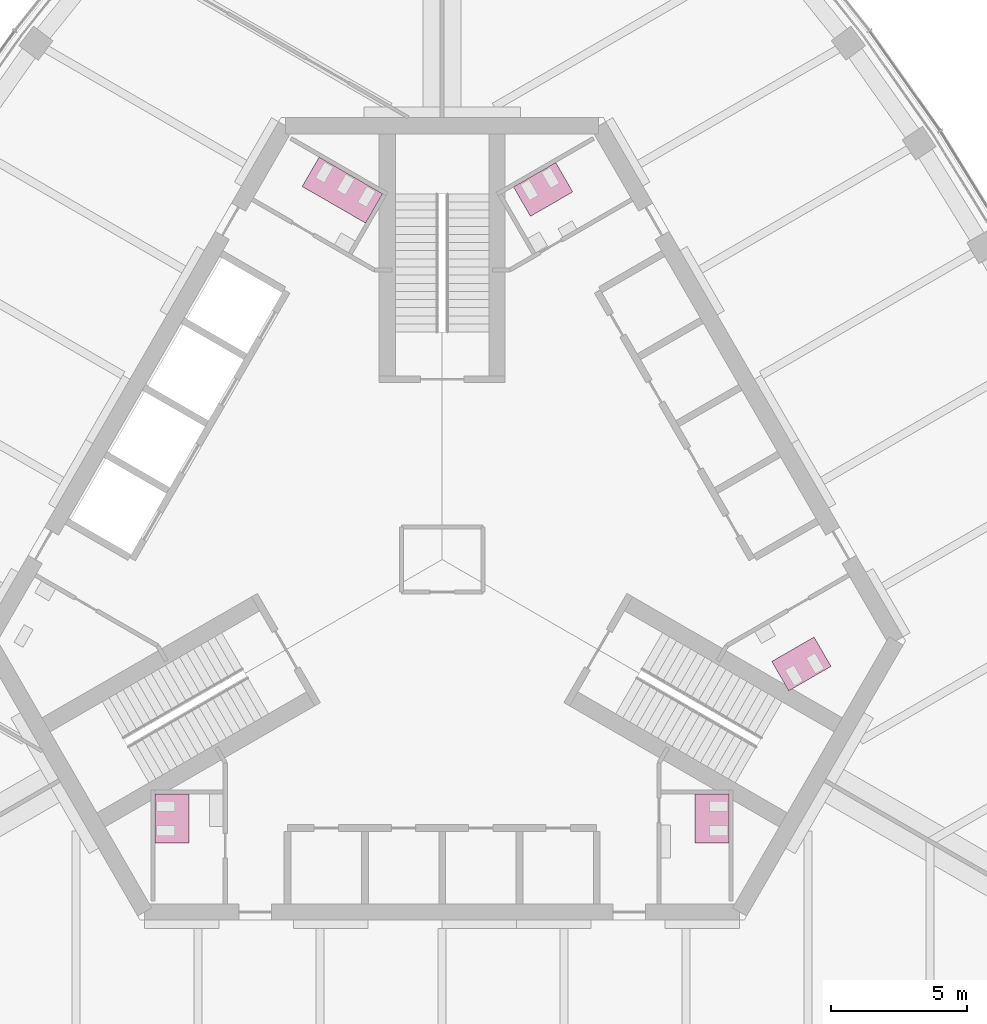
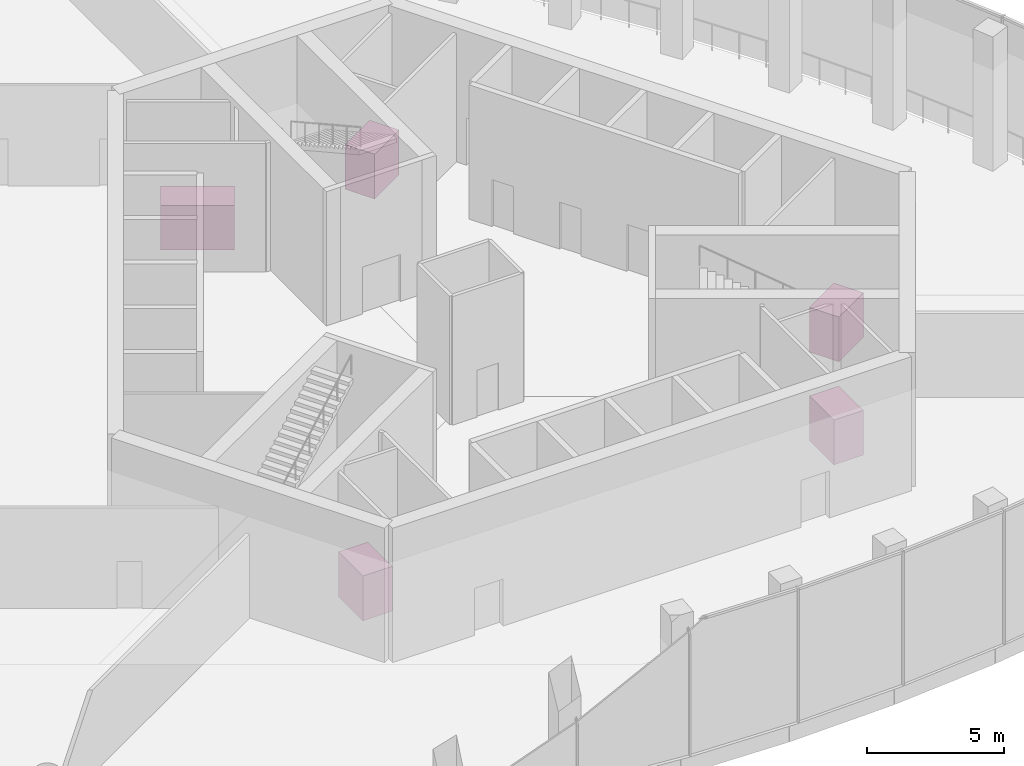
# One storey, part 15 of 15: 5 furniture elements.
"""IFC4 building model written with IfcOpenShell, lengths in metres."""

from ifc_helpers import new_model, si_unit, direction, frame, origin, place, context, subcontext, project, spatial, polyline, outline, extrude, material, type_object, element, save


model = new_model("IFC4")

# Units and contexts
model_context = context("Model", 3, precision=1e-05, world=origin(), true_north=direction((0.0, 1.0)))
body_context = subcontext(model_context, "Body", "Model", "MODEL_VIEW")
ifc_project = project(units=[si_unit("LENGTHUNIT", "METRE"), si_unit("AREAUNIT", "SQUARE_METRE"), si_unit("VOLUMEUNIT", "CUBIC_METRE"), si_unit("PLANEANGLEUNIT", "RADIAN"), si_unit("MASSUNIT", "GRAM", prefix="KILO")], contexts=[model_context])

# Site, building, storey
site_placement = place(None, origin())
site = spatial("IfcSite", under=ifc_project, at=site_placement, CompositionType="ELEMENT")
building_placement = place(site_placement, origin())
building = spatial("IfcBuilding", under=site, at=building_placement, Name="Trefoil Bronze Tower", CompositionType="ELEMENT")
storey_placement = place(building_placement, frame((0.0, 0.0, 322.5)))
storey = spatial("IfcBuildingStorey", under=building, at=storey_placement, Name="L74", CompositionType="ELEMENT", Elevation=322.5)

# Furniture
ifc_material_1 = material(Name="Compact laminate cubicles", Category="plastic")
furniture_type_1 = type_object("IfcFurnitureType", Name="WC cubicle range 2 cubicles", AssemblyPlace="FACTORY", PredefinedType="USERDEFINED", material=ifc_material_1)
furniture_1_placement = place(storey_placement, origin())
element("IfcFurniture", 1, at=furniture_1_placement, inside=storey, type_object=furniture_type_1, Name="WC cubicle range WC (men) L74", ObjectType="WC cubicle range", PredefinedType="USERDEFINED", context=body_context, shape_type="SweptSolid", body=[
    extrude(outline(polyline([(9.3349609375, -8.64990234375), (10.5849609375, -8.64990234375), (10.5849609375, -10.449951171875), (9.3349609375, -10.449951171875), (9.3349609375, -8.64990234375)])), origin(), (0.0, 0.0, 1.0), 2.0),
])
furniture_2_placement = place(storey_placement, origin())
element("IfcFurniture", 2, at=furniture_2_placement, inside=storey, type_object=furniture_type_1, Name="WC cubicle range WC (women) L74", ObjectType="WC cubicle range", PredefinedType="USERDEFINED", context=body_context, shape_type="SweptSolid", body=[
    extrude(outline(polyline([(12.15869140625, -3.75927734375), (12.78369140625, -4.841796875), (14.342529296875, -3.94189453125), (13.717529296875, -2.859375), (12.15869140625, -3.75927734375)])), origin(), (0.0, 0.0, 1.0), 2.0),
])
furniture_3_placement = place(storey_placement, origin())
element("IfcFurniture", 3, at=furniture_3_placement, inside=storey, type_object=furniture_type_1, Name="WC cubicle range WC (men) L74", ObjectType="WC cubicle range", PredefinedType="USERDEFINED", context=body_context, shape_type="SweptSolid", body=[
    extrude(outline(polyline([(3.256591796875, 12.659423828125), (2.631591796875, 13.741943359375), (4.1904296875, 14.641845703125), (4.8154296875, 13.559326171875), (3.256591796875, 12.659423828125)])), origin(), (0.0, 0.0, 1.0), 2.0),
])
furniture_4_placement = place(storey_placement, origin())
element("IfcFurniture", 4, at=furniture_4_placement, inside=storey, type_object=furniture_type_1, Name="WC cubicle range WC (women) L74", ObjectType="WC cubicle range", PredefinedType="USERDEFINED", context=body_context, shape_type="SweptSolid", body=[
    extrude(outline(polyline([(-9.3349609375, -8.64990234375), (-10.5849609375, -8.64990234375), (-10.5849609375, -10.449951171875), (-9.3349609375, -10.449951171875), (-9.3349609375, -8.64990234375)])), origin(), (0.0, 0.0, 1.0), 2.0),
])
ifc_material_2 = material(Name="Compact laminate cubicles", Category="plastic")
furniture_type_2 = type_object("IfcFurnitureType", Name="WC cubicle range 3 cubicles", AssemblyPlace="FACTORY", PredefinedType="USERDEFINED", material=ifc_material_2)
furniture_5_placement = place(storey_placement, origin())
element("IfcFurniture", 5, at=furniture_5_placement, inside=storey, type_object=furniture_type_2, Name="WC cubicle range WC (women) L74", ObjectType="WC cubicle range", PredefinedType="USERDEFINED", context=body_context, shape_type="SweptSolid", body=[
    extrude(outline(polyline([(-2.82373046875, 12.409423828125), (-2.19873046875, 13.491943359375), (-4.536865234375, 14.841796875), (-5.161865234375, 13.75927734375), (-2.82373046875, 12.409423828125)])), origin(), (0.0, 0.0, 1.0), 2.0),
])

save(model, "model.ifc")
